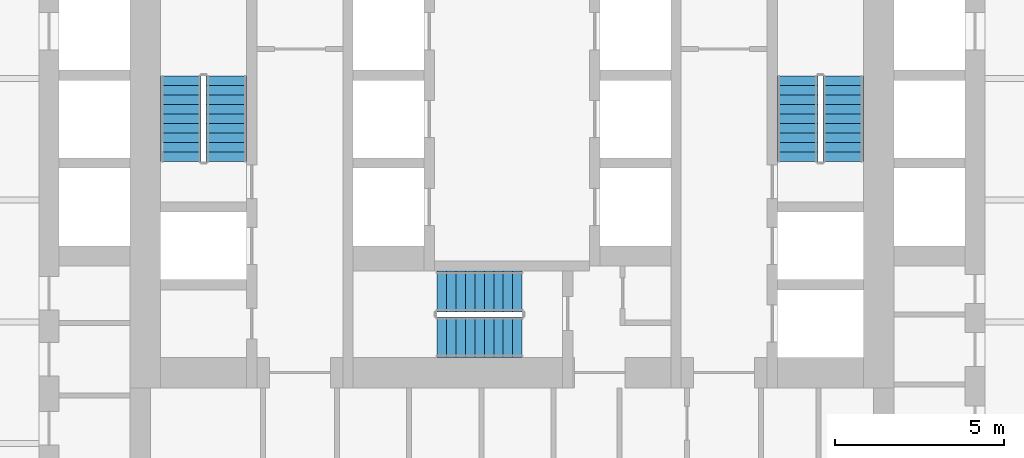
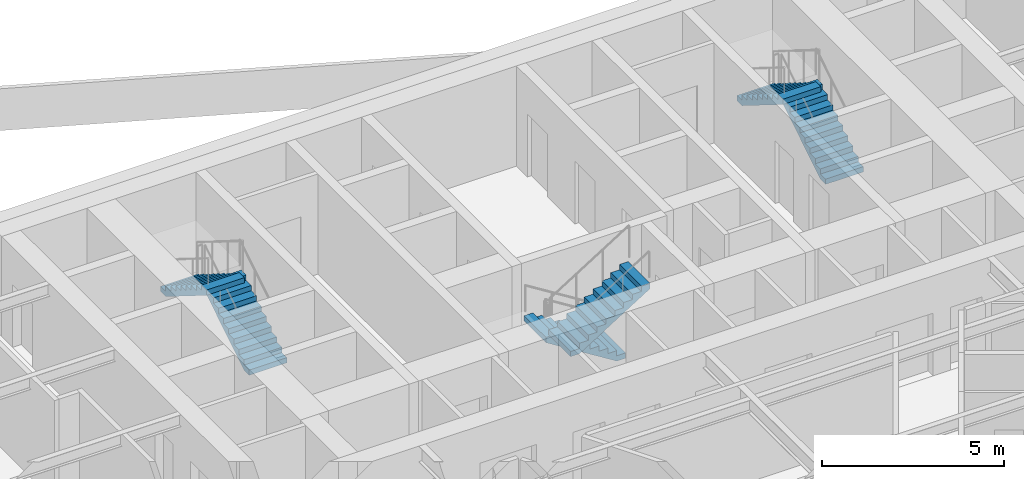
# One storey, part 7 of 10: 6 stair flights, 3 elements without a shape of their own.
"""IFC4 building model written with IfcOpenShell, lengths in metres."""

from ifc_helpers import new_model, si_unit, direction, frame, origin, place, context, subcontext, project, spatial, polyline, outline, extrude, material, type_object, element, aggregate, save


model = new_model("IFC4")

# Units and contexts
model_context = context("Model", 3, precision=1e-05, world=origin(), true_north=direction((0.0, 1.0)))
body_context = subcontext(model_context, "Body", "Model", "MODEL_VIEW")
ifc_project = project(units=[si_unit("LENGTHUNIT", "METRE"), si_unit("AREAUNIT", "SQUARE_METRE"), si_unit("VOLUMEUNIT", "CUBIC_METRE"), si_unit("PLANEANGLEUNIT", "RADIAN"), si_unit("MASSUNIT", "GRAM", prefix="KILO")], contexts=[model_context])

# Site, building, storey
site_placement = place(None, origin())
site = spatial("IfcSite", under=ifc_project, at=site_placement, CompositionType="ELEMENT")
building_placement = place(site_placement, origin())
building = spatial("IfcBuilding", under=site, at=building_placement, Name="Aloe Facet Convention Tower", CompositionType="ELEMENT")
storey_placement = place(building_placement, frame((0.0, 0.0, 85.300048828125)))
storey = spatial("IfcBuildingStorey", under=building, at=storey_placement, Name="L20", CompositionType="ELEMENT", Elevation=85.300048828125)

# Stair, stair flights
ifc_material_1 = material(Name="Concrete C50/60", Category="concrete")
stair_type = type_object("IfcStairType", Name="CR-ST-20R", PredefinedType="HALF_TURN_STAIR", material=ifc_material_1)
stair_1_placement = place(storey_placement, origin())
stair_1 = element("IfcStair", 1, at=stair_1_placement, inside=storey, type_object=stair_type, Name="L20 Protected exit stair ST1", PredefinedType="HALF_TURN_STAIR")
ifc_material_2 = material(Name="Concrete C50/60", Category="concrete")
stair_flight_type = type_object("IfcStairFlightType", Name="CR-SFL-20R", PredefinedType="STRAIGHT", material=ifc_material_2)
stair_flight_1_placement = place(storey_placement, frame((71.550048828125, 128.949951171875, 0.0), z_axis=(0.0, 0.0, 1.0), x_axis=(0.0, 1.0, 0.0)))
stair_flight_1 = element("IfcStairFlight", 2, at=stair_flight_1_placement, type_object=stair_flight_type, Name="ST1 flight 1", NumberOfRisers=10, NumberOfTreads=9, PredefinedType="STRAIGHT", RiserHeight=0.175, TreadLength=0.28, context=body_context, shape_type="SweptSolid", body=[
    extrude(outline(polyline([(0.0, 0.0), (0.0, 0.175048828125), (0.280029296875, 0.175048828125), (0.280029296875, 0.35009765625), (0.56005859375, 0.35009765625), (0.56005859375, 0.52490234375), (0.840087890625, 0.52490234375), (0.840087890625, 0.699951171875), (1.1201171875, 0.699951171875), (1.1201171875, 0.875), (1.39990234375, 0.875), (1.39990234375, 1.050048828125), (1.679931640625, 1.050048828125), (1.679931640625, 1.22509765625), (1.9599609375, 1.22509765625), (1.9599609375, 1.39990234375), (2.239990234375, 1.39990234375), (2.239990234375, 1.574951171875), (2.52001953125, 1.574951171875), (2.52001953125, 1.75), (2.52001953125, 1.398193359375), (0.28271484375, 0.0), (0.0, 0.0)])), frame((0.0, 0.60009765625, 0.0), z_axis=(0.0, -1.0, 0.0), x_axis=(1.0, 0.0, 0.0)), (0.0, 0.0, 1.0), 1.199951171875),
])
stair_flight_2_placement = place(storey_placement, frame((70.199951171875, 131.469970703125, 1.75), z_axis=(0.0, 0.0, 1.0), x_axis=(0.0, -1.0, 0.0)))
stair_flight_2 = element("IfcStairFlight", 3, at=stair_flight_2_placement, type_object=stair_flight_type, Name="ST1 flight 2", NumberOfRisers=10, NumberOfTreads=9, PredefinedType="STRAIGHT", RiserHeight=0.175, TreadLength=0.28, context=body_context, shape_type="SweptSolid", body=[
    extrude(outline(polyline([(0.0, 0.0), (0.0, 0.175048828125), (0.280029296875, 0.175048828125), (0.280029296875, 0.35009765625), (0.56005859375, 0.35009765625), (0.56005859375, 0.52490234375), (0.840087890625, 0.52490234375), (0.840087890625, 0.699951171875), (1.1201171875, 0.699951171875), (1.1201171875, 0.875), (1.39990234375, 0.875), (1.39990234375, 1.050048828125), (1.679931640625, 1.050048828125), (1.679931640625, 1.22509765625), (1.9599609375, 1.22509765625), (1.9599609375, 1.39990234375), (2.239990234375, 1.39990234375), (2.239990234375, 1.574951171875), (2.52001953125, 1.574951171875), (2.52001953125, 1.75), (2.52001953125, 1.398193359375), (0.28271484375, 0.0), (0.0, 0.0)])), frame((0.0, 0.60009765625, 0.0), z_axis=(0.0, -1.0, 0.0), x_axis=(1.0, 0.0, 0.0)), (0.0, 0.0, 1.0), 1.199951171875),
])
aggregate(stair_1, [stair_flight_1, stair_flight_2])

stair_2_placement = place(storey_placement, origin())
stair_2 = element("IfcStair", 4, at=stair_2_placement, inside=storey, type_object=stair_type, Name="L20 Protected exit stair ST2", PredefinedType="HALF_TURN_STAIR")
stair_flight_3_placement = place(storey_placement, frame((89.800048828125, 128.949951171875, 0.0), z_axis=(0.0, 0.0, 1.0), x_axis=(0.0, 1.0, 0.0)))
stair_flight_3 = element("IfcStairFlight", 5, at=stair_flight_3_placement, type_object=stair_flight_type, Name="ST2 flight 1", NumberOfRisers=10, NumberOfTreads=9, PredefinedType="STRAIGHT", RiserHeight=0.175, TreadLength=0.28, context=body_context, shape_type="SweptSolid", body=[
    extrude(outline(polyline([(0.0, 0.0), (0.0, 0.175048828125), (0.280029296875, 0.175048828125), (0.280029296875, 0.35009765625), (0.56005859375, 0.35009765625), (0.56005859375, 0.52490234375), (0.840087890625, 0.52490234375), (0.840087890625, 0.699951171875), (1.1201171875, 0.699951171875), (1.1201171875, 0.875), (1.39990234375, 0.875), (1.39990234375, 1.050048828125), (1.679931640625, 1.050048828125), (1.679931640625, 1.22509765625), (1.9599609375, 1.22509765625), (1.9599609375, 1.39990234375), (2.239990234375, 1.39990234375), (2.239990234375, 1.574951171875), (2.52001953125, 1.574951171875), (2.52001953125, 1.75), (2.52001953125, 1.398193359375), (0.28271484375, 0.0), (0.0, 0.0)])), frame((0.0, 0.60009765625, 0.0), z_axis=(0.0, -1.0, 0.0), x_axis=(1.0, 0.0, 0.0)), (0.0, 0.0, 1.0), 1.199951171875),
])
stair_flight_4_placement = place(storey_placement, frame((88.449951171875, 131.469970703125, 1.75), z_axis=(0.0, 0.0, 1.0), x_axis=(0.0, -1.0, 0.0)))
stair_flight_4 = element("IfcStairFlight", 6, at=stair_flight_4_placement, type_object=stair_flight_type, Name="ST2 flight 2", NumberOfRisers=10, NumberOfTreads=9, PredefinedType="STRAIGHT", RiserHeight=0.175, TreadLength=0.28, context=body_context, shape_type="SweptSolid", body=[
    extrude(outline(polyline([(0.0, 0.0), (0.0, 0.175048828125), (0.280029296875, 0.175048828125), (0.280029296875, 0.35009765625), (0.56005859375, 0.35009765625), (0.56005859375, 0.52490234375), (0.840087890625, 0.52490234375), (0.840087890625, 0.699951171875), (1.1201171875, 0.699951171875), (1.1201171875, 0.875), (1.39990234375, 0.875), (1.39990234375, 1.050048828125), (1.679931640625, 1.050048828125), (1.679931640625, 1.22509765625), (1.9599609375, 1.22509765625), (1.9599609375, 1.39990234375), (2.239990234375, 1.39990234375), (2.239990234375, 1.574951171875), (2.52001953125, 1.574951171875), (2.52001953125, 1.75), (2.52001953125, 1.398193359375), (0.28271484375, 0.0), (0.0, 0.0)])), frame((0.0, 0.60009765625, 0.0), z_axis=(0.0, -1.0, 0.0), x_axis=(1.0, 0.0, 0.0)), (0.0, 0.0, 1.0), 1.199951171875),
])
aggregate(stair_2, [stair_flight_3, stair_flight_4])

stair_3_placement = place(storey_placement, origin())
stair_3 = element("IfcStair", 7, at=stair_3_placement, inside=storey, type_object=stair_type, Name="L20 Protected exit stair ST3", PredefinedType="HALF_TURN_STAIR")
stair_flight_5_placement = place(storey_placement, frame((80.300048828125, 125.10009765625, 0.0), z_axis=(0.0, 0.0, 1.0), x_axis=(-1.0, 0.0, 0.0)))
stair_flight_5 = element("IfcStairFlight", 8, at=stair_flight_5_placement, type_object=stair_flight_type, Name="ST3 flight 1", NumberOfRisers=10, NumberOfTreads=9, PredefinedType="STRAIGHT", RiserHeight=0.175, TreadLength=0.28, context=body_context, shape_type="SweptSolid", body=[
    extrude(outline(polyline([(0.0, 0.0), (0.0, 0.175048828125), (0.280029296875, 0.175048828125), (0.280029296875, 0.35009765625), (0.56005859375, 0.35009765625), (0.56005859375, 0.52490234375), (0.840087890625, 0.52490234375), (0.840087890625, 0.699951171875), (1.1201171875, 0.699951171875), (1.1201171875, 0.875), (1.39990234375, 0.875), (1.39990234375, 1.050048828125), (1.679931640625, 1.050048828125), (1.679931640625, 1.22509765625), (1.9599609375, 1.22509765625), (1.9599609375, 1.39990234375), (2.239990234375, 1.39990234375), (2.239990234375, 1.574951171875), (2.52001953125, 1.574951171875), (2.52001953125, 1.75), (2.52001953125, 1.398193359375), (0.28271484375, 0.0), (0.0, 0.0)])), frame((0.0, 0.60009765625, 0.0), z_axis=(0.0, -1.0, 0.0), x_axis=(1.0, 0.0, 0.0)), (0.0, 0.0, 1.0), 1.199951171875),
])
stair_flight_6_placement = place(storey_placement, frame((77.780029296875, 123.75, 1.75), z_axis=(0.0, 0.0, 1.0), x_axis=(1.0, 0.0, 0.0)))
stair_flight_6 = element("IfcStairFlight", 9, at=stair_flight_6_placement, type_object=stair_flight_type, Name="ST3 flight 2", NumberOfRisers=10, NumberOfTreads=9, PredefinedType="STRAIGHT", RiserHeight=0.175, TreadLength=0.28, context=body_context, shape_type="SweptSolid", body=[
    extrude(outline(polyline([(0.0, 0.0), (0.0, 0.175048828125), (0.280029296875, 0.175048828125), (0.280029296875, 0.35009765625), (0.56005859375, 0.35009765625), (0.56005859375, 0.52490234375), (0.840087890625, 0.52490234375), (0.840087890625, 0.699951171875), (1.1201171875, 0.699951171875), (1.1201171875, 0.875), (1.39990234375, 0.875), (1.39990234375, 1.050048828125), (1.679931640625, 1.050048828125), (1.679931640625, 1.22509765625), (1.9599609375, 1.22509765625), (1.9599609375, 1.39990234375), (2.239990234375, 1.39990234375), (2.239990234375, 1.574951171875), (2.52001953125, 1.574951171875), (2.52001953125, 1.75), (2.52001953125, 1.398193359375), (0.28271484375, 0.0), (0.0, 0.0)])), frame((0.0, 0.60009765625, 0.0), z_axis=(0.0, -1.0, 0.0), x_axis=(1.0, 0.0, 0.0)), (0.0, 0.0, 1.0), 1.199951171875),
])
aggregate(stair_3, [stair_flight_5, stair_flight_6])

save(model, "model.ifc")
